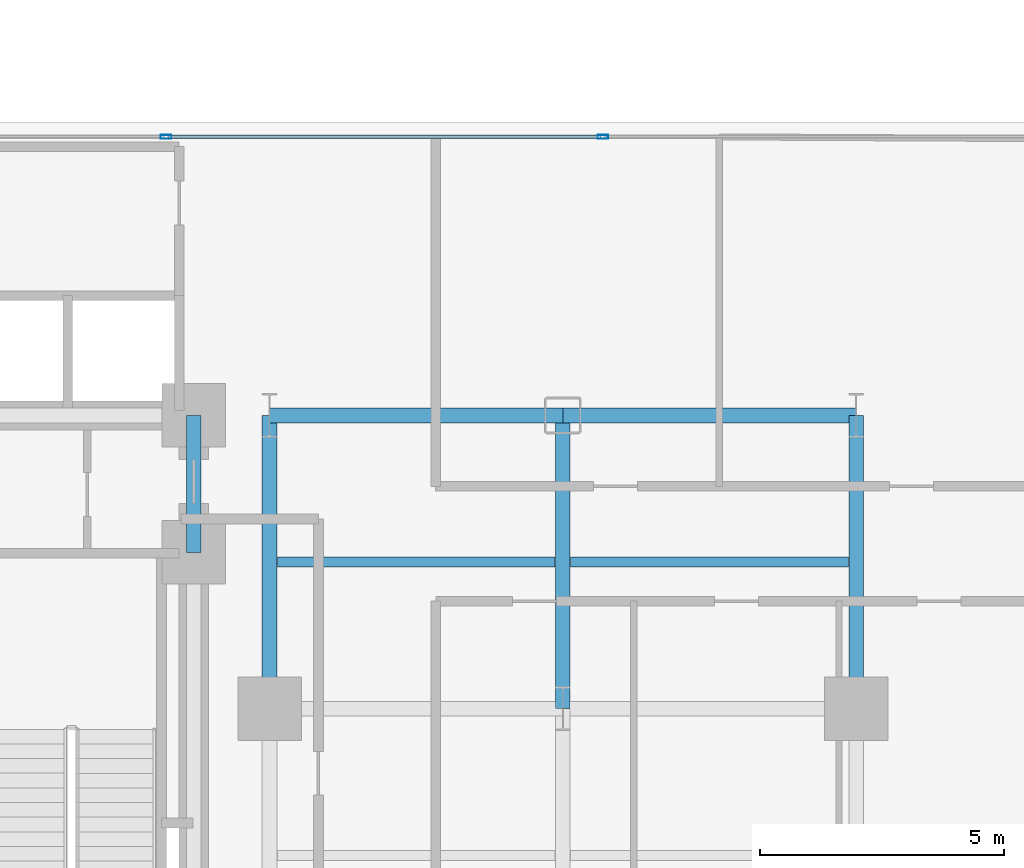
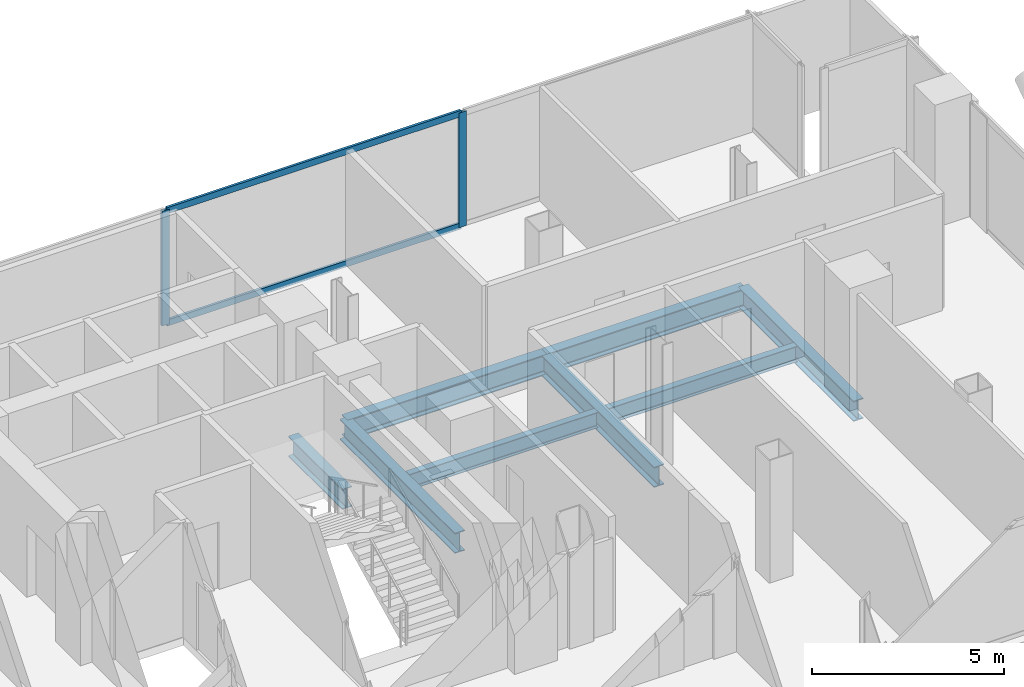
# One storey, part 11 of 25: 8 beams, 4 members, 1 element without a shape of its own.
"""IFC4 building model written with IfcOpenShell, lengths in metres."""

from ifc_helpers import new_model, si_unit, direction, frame, origin, origin_2d, place, context, subcontext, project, spatial, hollow_rectangle, i_section, extrude, material, layer, layer_set, material_profile, profile_set, type_object, element, aggregate, save


model = new_model("IFC4")

# Units and contexts
model_context = context("Model", 3, precision=1e-05, world=origin(), true_north=direction((0.0, 1.0)))
body_context = subcontext(model_context, "Body", "Model", "MODEL_VIEW")
ifc_project = project(units=[si_unit("LENGTHUNIT", "METRE"), si_unit("AREAUNIT", "SQUARE_METRE"), si_unit("VOLUMEUNIT", "CUBIC_METRE"), si_unit("PLANEANGLEUNIT", "RADIAN"), si_unit("MASSUNIT", "GRAM", prefix="KILO"), si_unit("THERMODYNAMICTEMPERATUREUNIT", "KELVIN"), si_unit("POWERUNIT", "WATT")], contexts=[model_context])

# Site, building, storey
site_placement = place(None, origin())
site = spatial("IfcSite", under=ifc_project, at=site_placement, CompositionType="ELEMENT")
building_placement = place(site_placement, origin())
building = spatial("IfcBuilding", under=site, at=building_placement, Name="Svarakhadi Broadcast Tower", CompositionType="ELEMENT")
storey_placement = place(building_placement, frame((0.0, 0.0, 51.89990234375)))
storey = spatial("IfcBuildingStorey", under=building, at=storey_placement, Name="L11", CompositionType="ELEMENT", Elevation=51.89990234375)

# Beams
ifc_material_1 = material(Name="Steel S355J2 (IS 2062 E350C)", Category="steel")
ifc_material_profile_1 = material_profile(ifc_material_1, i_section(OverallWidth=0.199951171875, OverallDepth=0.5, WebThickness=0.01025390625, FlangeThickness=0.01611328125, FilletRadius=0.02099609375, at=origin_2d()), Name="NPB 500x200x91")
ifc_profile_set_1 = profile_set([ifc_material_profile_1], Name="Steel S355J2 (IS 2062 E350C)")
beam_type_1 = type_object("IfcBeamType", Name="Beam_NPB500", PredefinedType="BEAM", material=ifc_profile_set_1)
for number, where, z_axis, x_axis, name in (
    (1, (35.31005859375, 15.0, -0.5), (1.0, 0.0, 0.0), (0.0, 1.0, 0.0), "L11 Secondary Composite Beam SB024"),
    (2, (41.31005859375, 15.0, -0.5), (1.0, 0.0, 0.0), (0.0, 1.0, 0.0), "L11 Secondary Composite Beam SB027"),
):
    element("IfcBeam", number, at=place(storey_placement, frame(where, z_axis=z_axis, x_axis=x_axis)), inside=storey, type_object=beam_type_1, Name=name, PredefinedType="BEAM", context=body_context, shape_type="SweptSolid", body=[
        extrude(i_section(OverallWidth=0.199951171875, OverallDepth=0.5, WebThickness=0.01025390625, FlangeThickness=0.01611328125, FilletRadius=0.02099609375, at=origin_2d()), origin(), (0.0, 0.0, 1.0), 5.679931640625),
    ])

# Curtain wall, members
ifc_material_2 = material(Name="Anodised Bronze Aluminium AA 6063-T6", Category="aluminium")
ifc_layer = layer(ifc_material_2, 0.219970703125)
ifc_layer_set = layer_set([ifc_layer], Name="Anodised Bronze Aluminium AA 6063-T6")
curtain_wall_type = type_object("IfcCurtainWallType", Name="CW_Sys_02", PredefinedType="NOTDEFINED", material=ifc_layer_set)
curtain_wall_placement = place(storey_placement, origin())
curtain_wall = element("IfcCurtainWall", 3, at=curtain_wall_placement, inside=storey, type_object=curtain_wall_type, Name="L11 Unitised Facade Curtain Wall 10", PredefinedType="NOTDEFINED")
ifc_material_profile_2 = material_profile(ifc_material_2, hollow_rectangle(XDim=0.0849609375, YDim=0.219970703125, WallThickness=0.006103515625, at=origin_2d()), Name="ALU MULLION 220x85x6")
ifc_profile_set_2 = profile_set([ifc_material_profile_2], Name="Anodised Bronze Aluminium AA 6063-T6")
member_type_1 = type_object("IfcMemberType", Name="CW_Sys_02_Mul", PredefinedType="MULLION", material=ifc_profile_set_2)
member_1_placement = place(storey_placement, frame((33.030029296875, 23.699951171875, 0.0), z_axis=(0.0, 0.0, 1.0), x_axis=(0.0, 1.0, 0.0)))
member_1 = element("IfcMember", 4, at=member_1_placement, type_object=member_type_1, Name="CW-02 mullion 2", PredefinedType="MULLION", context=body_context, shape_type="SweptSolid", body=[
    extrude(hollow_rectangle(XDim=0.0849609375, YDim=0.219970703125, WallThickness=0.006103515625, at=origin_2d()), origin(), (0.0, 0.0, 1.0), 3.650146484375),
])
member_2_placement = place(storey_placement, frame((41.969970703125, 23.699951171875, 0.0), z_axis=(0.0, 0.0, 1.0), x_axis=(0.0, 1.0, 0.0)))
member_2 = element("IfcMember", 5, at=member_2_placement, type_object=member_type_1, Name="CW-02 mullion 3", PredefinedType="MULLION", context=body_context, shape_type="SweptSolid", body=[
    extrude(hollow_rectangle(XDim=0.0849609375, YDim=0.219970703125, WallThickness=0.006103515625, at=origin_2d()), origin(), (0.0, 0.0, 1.0), 3.650146484375),
])
ifc_material_profile_3 = material_profile(ifc_material_2, hollow_rectangle(XDim=0.074951171875, YDim=0.199951171875, WallThickness=0.0048828125, at=origin_2d()), Name="ALU TRANSOM 200x75x5")
ifc_profile_set_3 = profile_set([ifc_material_profile_3], Name="Anodised Bronze Aluminium AA 6063-T6")
member_type_2 = type_object("IfcMemberType", Name="CW_Sys_02_Trn", PredefinedType="USERDEFINED", material=ifc_profile_set_3)
member_3_placement = place(storey_placement, frame((33.072509765625, 23.699951171875, 0.03759765625), z_axis=(1.0, 0.0, 0.0), x_axis=(0.0, 1.0, 0.0)))
member_3 = element("IfcMember", 6, at=member_3_placement, type_object=member_type_2, Name="CW-02 transom 2.1", ObjectType="TRANSOM", PredefinedType="USERDEFINED", context=body_context, shape_type="SweptSolid", body=[
    extrude(hollow_rectangle(XDim=0.074951171875, YDim=0.199951171875, WallThickness=0.0048828125, at=origin_2d()), origin(), (0.0, 0.0, 1.0), 8.85498046875),
])
member_4_placement = place(storey_placement, frame((33.072509765625, 23.699951171875, 3.612548828125), z_axis=(1.0, 0.0, 0.0), x_axis=(0.0, 1.0, 0.0)))
member_4 = element("IfcMember", 7, at=member_4_placement, type_object=member_type_2, Name="CW-02 transom 2.2", ObjectType="TRANSOM", PredefinedType="USERDEFINED", context=body_context, shape_type="SweptSolid", body=[
    extrude(hollow_rectangle(XDim=0.074951171875, YDim=0.199951171875, WallThickness=0.0048828125, at=origin_2d()), origin(), (0.0, 0.0, 1.0), 8.85498046875),
])
aggregate(curtain_wall, [member_1, member_2, member_3, member_4])

# Beams
ifc_material_profile_4 = material_profile(ifc_material_1, i_section(OverallWidth=0.300048828125, OverallDepth=0.64990234375, WebThickness=0.01611328125, FlangeThickness=0.031005859375, FilletRadius=0.027099609375, at=origin_2d()), Name="WPB 650x300x225")
ifc_profile_set_4 = profile_set([ifc_material_profile_4], Name="Steel S355J2 (IS 2062 E350C)")
beam_type_2 = type_object("IfcBeamType", Name="Girder_WPB650", PredefinedType="USERDEFINED", material=ifc_profile_set_4)
for number, where, z_axis, x_axis, name in (
    (8, (35.14990234375, 18.0, -0.574951171875), (1.0, 0.0, 0.0), (0.0, 1.0, 0.0), "L11 Primary E-W Girder G030"),
    (9, (41.14990234375, 18.0, -0.574951171875), (1.0, 0.0, 0.0), (0.0, 1.0, 0.0), "L11 Primary E-W Girder G031"),
):
    element("IfcBeam", number, at=place(storey_placement, frame(where, z_axis=z_axis, x_axis=x_axis)), inside=storey, type_object=beam_type_2, Name=name, ObjectType="GIRDER", PredefinedType="USERDEFINED", context=body_context, shape_type="SweptSolid", body=[
        extrude(i_section(OverallWidth=0.300048828125, OverallDepth=0.64990234375, WebThickness=0.01611328125, FlangeThickness=0.031005859375, FilletRadius=0.027099609375, at=origin_2d()), origin(), (0.0, 0.0, 1.0), 6.0),
    ])
beam_placement = place(storey_placement, frame((33.60009765625, 15.199951171875, -0.574951171875), z_axis=(0.0, 1.0, 0.0), x_axis=(-1.0, 0.0, 0.0)))
element("IfcBeam", 10, at=beam_placement, inside=storey, type_object=beam_type_2, Name="L11 Primary N-S Girder G075", ObjectType="GIRDER", PredefinedType="USERDEFINED", context=body_context, shape_type="SweptSolid", body=[
    extrude(i_section(OverallWidth=0.300048828125, OverallDepth=0.64990234375, WebThickness=0.01611328125, FlangeThickness=0.031005859375, FilletRadius=0.027099609375, at=origin_2d()), origin(), (0.0, 0.0, 1.0), 2.800048828125),
])
for number, where, z_axis, x_axis, name in (
    (11, (35.14990234375, 12.0, -0.574951171875), (0.0, 1.0, 0.0), (-1.0, 0.0, 0.0), "L11 Primary N-S Girder G078"),
    (12, (41.14990234375, 12.0, -0.574951171875), (0.0, 1.0, 0.0), (-1.0, 0.0, 0.0), "L11 Primary N-S Girder G081"),
    (13, (47.14990234375, 12.0, -0.574951171875), (0.0, 1.0, 0.0), (-1.0, 0.0, 0.0), "L11 Primary N-S Girder G084"),
):
    element("IfcBeam", number, at=place(storey_placement, frame(where, z_axis=z_axis, x_axis=x_axis)), inside=storey, type_object=beam_type_2, Name=name, ObjectType="GIRDER", PredefinedType="USERDEFINED", context=body_context, shape_type="SweptSolid", body=[
        extrude(i_section(OverallWidth=0.300048828125, OverallDepth=0.64990234375, WebThickness=0.01611328125, FlangeThickness=0.031005859375, FilletRadius=0.027099609375, at=origin_2d()), origin(), (0.0, 0.0, 1.0), 6.0),
    ])

save(model, "model.ifc")
